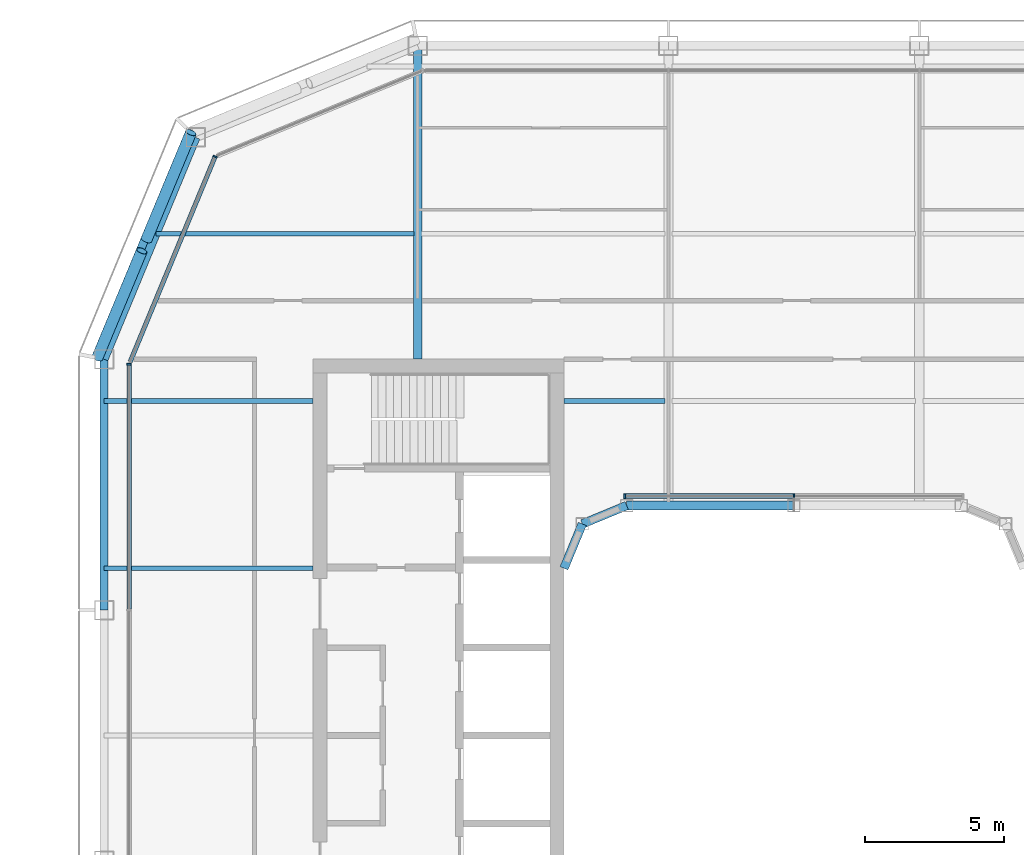
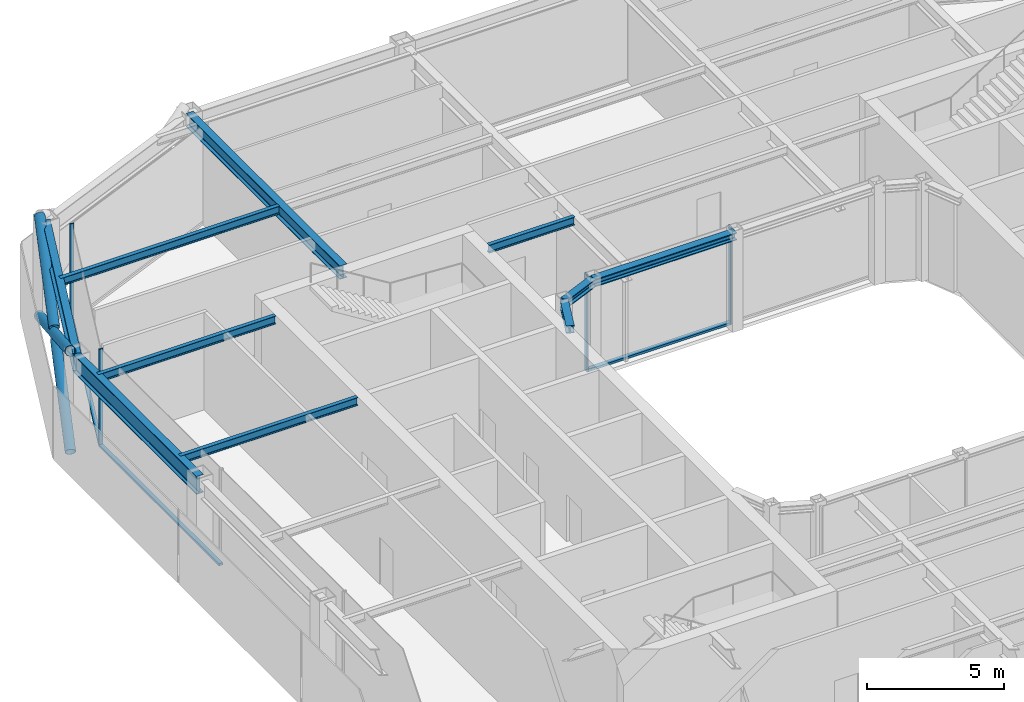
# One storey, part 7 of 21: 10 beams, 10 members, 3 elements without a shape of their own.
"""IFC4 building model written with IfcOpenShell, lengths in metres."""

from ifc_helpers import new_model, si_unit, direction, frame, origin, origin_2d, place, context, subcontext, project, spatial, rectangle, hollow_circle, i_section, extrude, material, layer, layer_set, material_profile, profile_set, type_object, element, aggregate, save


model = new_model("IFC4")

# Units and contexts
model_context = context("Model", 3, precision=1e-05, world=origin(), true_north=direction((0.0, 1.0)))
body_context = subcontext(model_context, "Body", "Model", "MODEL_VIEW")
ifc_project = project(units=[si_unit("LENGTHUNIT", "METRE"), si_unit("AREAUNIT", "SQUARE_METRE"), si_unit("VOLUMEUNIT", "CUBIC_METRE"), si_unit("PLANEANGLEUNIT", "RADIAN"), si_unit("MASSUNIT", "GRAM", prefix="KILO")], contexts=[model_context])

# Site, building, storey
site_placement = place(None, origin())
site = spatial("IfcSite", under=ifc_project, at=site_placement, CompositionType="ELEMENT")
building_placement = place(site_placement, origin())
building = spatial("IfcBuilding", under=site, at=building_placement, Name="Siwar Civic Tower", CompositionType="ELEMENT")
storey_placement = place(building_placement, frame((0.0, 0.0, 334.699951171875)))
storey = spatial("IfcBuildingStorey", under=building, at=storey_placement, Name="L72", CompositionType="ELEMENT", Elevation=334.699951171875)

# Curtain wall, member
ifc_material_1 = material(Name="Aluminium clad insulated panel", Category="aluminium")
ifc_layer_1 = layer(ifc_material_1, 0.159912109375)
ifc_layer_set_1 = layer_set([ifc_layer_1], Name="Aluminium clad insulated panel")
curtain_wall_type_1 = type_object("IfcCurtainWallType", Name="ENV-CW-DX", PredefinedType="NOTDEFINED", material=ifc_layer_set_1)
curtain_wall_1_placement = place(storey_placement, origin())
curtain_wall_1 = element("IfcCurtainWall", 1, at=curtain_wall_1_placement, inside=storey, type_object=curtain_wall_type_1, Name="Curtain wall D NW2", PredefinedType="NOTDEFINED")
ifc_material_2 = material(Name="Aluminium 6063-T6", Category="aluminium")
ifc_material_profile_1 = material_profile(ifc_material_2, rectangle(XDim=0.159912109375, YDim=0.06005859375, at=origin_2d()), Name="AL 160x60")
ifc_profile_set_1 = profile_set([ifc_material_profile_1], Name="Aluminium 6063-T6")
member_type_1 = type_object("IfcMemberType", Name="ENV-MULLION-D", PredefinedType="MULLION", material=ifc_profile_set_1)
member_1_placement = place(storey_placement, frame((-20.76611328125, 20.76611328125, 0.0), z_axis=(0.0, 0.0, 1.0), x_axis=(0.923879532511, -0.382683432365, 0.0)))
member_1 = element("IfcMember", 2, at=member_1_placement, type_object=member_type_1, Name="Mullion D NW2 1", PredefinedType="MULLION", context=body_context, shape_type="SweptSolid", body=[
    extrude(rectangle(XDim=0.159912109375, YDim=0.06005859375, at=origin_2d()), origin(), (0.0, 0.0, 1.0), 4.35009765625),
])

ifc_material_3 = material(Name="Aluminium and glass", Category="aluminium")
ifc_layer_2 = layer(ifc_material_3, 0.159912109375)
ifc_layer_set_2 = layer_set([ifc_layer_2], Name="Aluminium and glass")
curtain_wall_type_2 = type_object("IfcCurtainWallType", Name="ENV-CW-D", PredefinedType="NOTDEFINED", material=ifc_layer_set_2)
curtain_wall_2_placement = place(storey_placement, origin())
curtain_wall_2 = element("IfcCurtainWall", 3, at=curtain_wall_2_placement, inside=storey, type_object=curtain_wall_type_2, Name="Curtain wall D W", PredefinedType="NOTDEFINED")
member_2_placement = place(storey_placement, frame((-23.85009765625, 13.321044921875, 0.0), z_axis=(0.0, 0.0, 1.0), x_axis=(1.0, 0.0, 0.0)))
member_2 = element("IfcMember", 4, at=member_2_placement, type_object=member_type_1, Name="Mullion D W 1", PredefinedType="MULLION", context=body_context, shape_type="SweptSolid", body=[
    extrude(rectangle(XDim=0.159912109375, YDim=0.06005859375, at=origin_2d()), origin(), (0.0, 0.0, 1.0), 4.35009765625),
])

# Curtain wall, members
ifc_material_4 = material(Name="Aluminium and glass", Category="aluminium")
ifc_layer_3 = layer(ifc_material_4, 0.179931640625)
ifc_layer_set_3 = layer_set([ifc_layer_3], Name="Aluminium and glass")
curtain_wall_type_3 = type_object("IfcCurtainWallType", Name="ENV-CW-W", PredefinedType="NOTDEFINED", material=ifc_layer_set_3)
curtain_wall_3_placement = place(storey_placement, origin())
curtain_wall_3 = element("IfcCurtainWall", 5, at=curtain_wall_3_placement, inside=storey, type_object=curtain_wall_type_3, Name="Curtain wall W WN", PredefinedType="NOTDEFINED")
ifc_material_5 = material(Name="Aluminium 6063-T6", Category="aluminium")
ifc_material_profile_2 = material_profile(ifc_material_5, rectangle(XDim=0.179931640625, YDim=0.06005859375, at=origin_2d()), Name="AL 180x60")
ifc_profile_set_2 = profile_set([ifc_material_profile_2], Name="Aluminium 6063-T6")
member_type_2 = type_object("IfcMemberType", Name="ENV-MULLION-W", PredefinedType="MULLION", material=ifc_profile_set_2)
member_3_placement = place(storey_placement, frame((0.0, 8.5849609375, 0.0), z_axis=(0.0, 0.0, 1.0), x_axis=(0.0, -1.0, 0.0)))
member_3 = element("IfcMember", 6, at=member_3_placement, type_object=member_type_2, Name="Mullion W WN 2", PredefinedType="MULLION", context=body_context, shape_type="SweptSolid", body=[
    extrude(rectangle(XDim=0.179931640625, YDim=0.06005859375, at=origin_2d()), origin(), (0.0, 0.0, 1.0), 4.35009765625),
])
member_4_placement = place(storey_placement, frame((-6.066650390625, 8.5849609375, 0.0), z_axis=(0.0, 0.0, 1.0), x_axis=(0.0, -1.0, 0.0)))
member_4 = element("IfcMember", 7, at=member_4_placement, type_object=member_type_2, Name="Mullion W WN 3", PredefinedType="MULLION", context=body_context, shape_type="SweptSolid", body=[
    extrude(rectangle(XDim=0.179931640625, YDim=0.06005859375, at=origin_2d()), origin(), (0.0, 0.0, 1.0), 4.35009765625),
])

# Member
ifc_material_6 = material(Name="Aluminium 6063-T6", Category="aluminium")
ifc_material_profile_3 = material_profile(ifc_material_6, rectangle(XDim=0.159912109375, YDim=0.10009765625, at=origin_2d()), Name="AL 160x100")
ifc_profile_set_3 = profile_set([ifc_material_profile_3], Name="Aluminium 6063-T6")
member_type_3 = type_object("IfcMemberType", Name="ENV-TRANSOM-D", PredefinedType="USERDEFINED", material=ifc_profile_set_3)
member_5_placement = place(storey_placement, frame((-20.777587890625, 20.738525390625, 0.050048828125), z_axis=(-0.382673515031, -0.923883640343, 0.0), x_axis=(0.923883640343, -0.382673515031, 0.0)))
member_5 = element("IfcMember", 8, at=member_5_placement, type_object=member_type_3, Name="Transom D NW2 1", ObjectType="TRANSOM", PredefinedType="USERDEFINED", context=body_context, shape_type="SweptSolid", body=[
    extrude(rectangle(XDim=0.159912109375, YDim=0.10009765625, at=origin_2d()), origin(), (0.0, 0.0, 1.0), 7.930908203125),
])

aggregate(curtain_wall_1, [member_1, member_5])

member_6_placement = place(storey_placement, frame((-23.85009765625, 13.291015625, 0.050048828125), z_axis=(0.0, -1.0, 0.0), x_axis=(1.0, 0.0, 0.0)))
member_6 = element("IfcMember", 9, at=member_6_placement, type_object=member_type_3, Name="Transom D W 1", ObjectType="TRANSOM", PredefinedType="USERDEFINED", context=body_context, shape_type="SweptSolid", body=[
    extrude(rectangle(XDim=0.159912109375, YDim=0.10009765625, at=origin_2d()), origin(), (0.0, 0.0, 1.0), 8.760986328125),
])

aggregate(curtain_wall_2, [member_2, member_6])

ifc_material_7 = material(Name="Aluminium 6063-T6", Category="aluminium")
ifc_material_profile_4 = material_profile(ifc_material_7, rectangle(XDim=0.179931640625, YDim=0.10009765625, at=origin_2d()), Name="AL 180x100")
ifc_profile_set_4 = profile_set([ifc_material_profile_4], Name="Aluminium 6063-T6")
member_type_4 = type_object("IfcMemberType", Name="ENV-TRANSOM-W", PredefinedType="USERDEFINED", material=ifc_profile_set_4)
member_7_placement = place(storey_placement, frame((-0.030029296875, 8.5849609375, 0.050048828125), z_axis=(-1.0, 0.0, 0.0), x_axis=(0.0, -1.0, 0.0)))
member_7 = element("IfcMember", 10, at=member_7_placement, type_object=member_type_4, Name="Transom W WN 2", ObjectType="TRANSOM", PredefinedType="USERDEFINED", context=body_context, shape_type="SweptSolid", body=[
    extrude(rectangle(XDim=0.179931640625, YDim=0.10009765625, at=origin_2d()), origin(), (0.0, 0.0, 1.0), 6.006591796875),
])

aggregate(curtain_wall_3, [member_3, member_4, member_7])

# Members
ifc_material_8 = material(Name="Steel S355", Category="steel")
ifc_material_profile_5 = material_profile(ifc_material_8, hollow_circle(Radius=0.203125, WallThickness=0.01611328125, at=origin_2d()), Name="CHS406.4x16")
ifc_profile_set_5 = profile_set([ifc_material_profile_5], Name="Steel S355")
member_type_5 = type_object("IfcMemberType", Name="STR-BR-CHS406.4x16", PredefinedType="BRACE", material=ifc_profile_set_5)
member_8_placement = place(storey_placement, frame((-21.6318359375, 21.6318359375, 0.0), z_axis=(-0.341671493852, -0.821142553604, 0.457149315816), x_axis=(0.923264922524, -0.384163874976, 0.0)))
element("IfcMember", 11, at=member_8_placement, inside=storey, type_object=member_type_5, Name="L72/brc/DNW1-11-0-1", PredefinedType="BRACE", context=body_context, shape_type="SweptSolid", body=[
    extrude(hollow_circle(Radius=0.203125, WallThickness=0.01611328125, at=origin_2d()), origin(), (0.0, 0.0, 1.0), 9.843505859375),
])
for number, where, z_axis, x_axis, name in (
    (12, (-24.9951171875, 13.548828125, 0.0), (0.341659024948, 0.821130093572, 0.45718101459), (-0.923267827529, 0.384156893273, 0.0), "L72/brc/DNW1-11-0-2"),
    (13, (-23.229736328125, 17.791259765625, 2.362060546875), (0.341652533125, 0.821166691915, 0.457120127208), (-0.923276488787, 0.38413607648, 0.0), "L72/brc/DNW1-11-0-3"),
):
    element("IfcMember", number, at=place(storey_placement, frame(where, z_axis=z_axis, x_axis=x_axis)), inside=storey, type_object=member_type_5, Name=name, PredefinedType="BRACE", context=body_context, shape_type="SweptSolid", body=[
        extrude(hollow_circle(Radius=0.203125, WallThickness=0.01611328125, at=origin_2d()), origin(), (0.0, 0.0, 1.0), 4.677001953125),
    ])

# Beams
ifc_material_9 = material(Name="Steel S355", Category="steel")
ifc_material_profile_6 = material_profile(ifc_material_9, i_section(OverallWidth=0.169921875, OverallDepth=0.360107421875, WebThickness=0.008056640625, FlangeThickness=0.0126953125, FilletRadius=0.01806640625, at=origin_2d()), Name="IPE360")
ifc_profile_set_6 = profile_set([ifc_material_profile_6], Name="Steel S355")
beam_type_1 = type_object("IfcBeamType", Name="STR-FB-IPE360", PredefinedType="JOIST", material=ifc_profile_set_6)
for number, where, z_axis, x_axis, name in (
    (14, (-24.75, 6.0, 4.170166015625), (1.0, 0.0, 0.0), (0.0, 1.0, 0.0), "L72/bm/F020"),
    (15, (-24.75, 12.0, 4.170166015625), (1.0, 0.0, 0.0), (0.0, 1.0, 0.0), "L72/bm/F022"),
):
    element("IfcBeam", number, at=place(storey_placement, frame(where, z_axis=z_axis, x_axis=x_axis)), inside=storey, type_object=beam_type_1, Name=name, PredefinedType="JOIST", context=body_context, shape_type="SweptSolid", body=[
        extrude(i_section(OverallWidth=0.169921875, OverallDepth=0.360107421875, WebThickness=0.008056640625, FlangeThickness=0.0126953125, FilletRadius=0.01806640625, at=origin_2d()), origin(), (0.0, 0.0, 1.0), 7.5),
    ])
beam_1_placement = place(storey_placement, frame((-8.25, 12.0, 4.170166015625), z_axis=(1.0, 0.0, 0.0), x_axis=(0.0, 1.0, 0.0)))
element("IfcBeam", 16, at=beam_1_placement, inside=storey, type_object=beam_type_1, Name="L72/bm/F023", PredefinedType="JOIST", context=body_context, shape_type="SweptSolid", body=[
    extrude(i_section(OverallWidth=0.169921875, OverallDepth=0.360107421875, WebThickness=0.008056640625, FlangeThickness=0.0126953125, FilletRadius=0.01806640625, at=origin_2d()), origin(), (0.0, 0.0, 1.0), 3.6201171875),
])
beam_2_placement = place(storey_placement, frame((-22.885986328125, 18.0, 4.170166015625), z_axis=(1.0, 0.0, 0.0), x_axis=(0.0, 1.0, 0.0)))
element("IfcBeam", 17, at=beam_2_placement, inside=storey, type_object=beam_type_1, Name="L72/bm/F027", PredefinedType="JOIST", context=body_context, shape_type="SweptSolid", body=[
    extrude(i_section(OverallWidth=0.169921875, OverallDepth=0.360107421875, WebThickness=0.008056640625, FlangeThickness=0.0126953125, FilletRadius=0.01806640625, at=origin_2d()), origin(), (0.0, 0.0, 1.0), 9.256103515625),
])
ifc_material_10 = material(Name="Steel S355", Category="steel")
ifc_material_profile_7 = material_profile(ifc_material_10, i_section(OverallWidth=0.300048828125, OverallDepth=0.60009765625, WebThickness=0.015380859375, FlangeThickness=0.030029296875, FilletRadius=0.027099609375, at=origin_2d()), Name="HEB600")
ifc_profile_set_7 = profile_set([ifc_material_profile_7], Name="Steel S355")
beam_type_2 = type_object("IfcBeamType", Name="STR-PG-HEB600", PredefinedType="BEAM", material=ifc_profile_set_7)
beam_3_placement = place(storey_placement, frame((-13.5, 13.5, 4.050048828125), z_axis=(0.0, 1.0, 0.0), x_axis=(-1.0, 0.0, 0.0)))
element("IfcBeam", 18, at=beam_3_placement, inside=storey, type_object=beam_type_2, Name="L72/bm/G02", PredefinedType="BEAM", context=body_context, shape_type="SweptSolid", body=[
    extrude(i_section(OverallWidth=0.300048828125, OverallDepth=0.60009765625, WebThickness=0.015380859375, FlangeThickness=0.030029296875, FilletRadius=0.027099609375, at=origin_2d()), origin(), (0.0, 0.0, 1.0), 11.25),
])
ifc_material_11 = material(Name="Steel S355", Category="steel")
ifc_material_profile_8 = material_profile(ifc_material_11, i_section(OverallWidth=0.31005859375, OverallDepth=0.340087890625, WebThickness=0.02099609375, FlangeThickness=0.0390625, FilletRadius=0.027099609375, at=origin_2d()), Name="HEM300")
ifc_profile_set_8 = profile_set([ifc_material_profile_8], Name="Steel S355")
beam_type_3 = type_object("IfcBeamType", Name="STR-RB-HEM300", PredefinedType="BEAM", material=ifc_profile_set_8)
beam_4_placement = place(storey_placement, frame((-7.591064453125, 7.591064453125, 4.179931640625), z_axis=(0.923901072997, 0.382631424892, 0.0), x_axis=(-0.382631424892, 0.923901072997, 0.0)))
element("IfcBeam", 19, at=beam_4_placement, inside=storey, type_object=beam_type_3, Name="L72/bm/RN0", PredefinedType="BEAM", context=body_context, shape_type="SweptSolid", body=[
    extrude(i_section(OverallWidth=0.31005859375, OverallDepth=0.340087890625, WebThickness=0.02099609375, FlangeThickness=0.0390625, FilletRadius=0.027099609375, at=origin_2d()), origin(), (0.0, 0.0, 1.0), 1.72216796875),
])
beam_5_placement = place(storey_placement, frame((-6.0, 8.25, 4.179931640625), z_axis=(1.0, 0.0, 0.0), x_axis=(0.0, 1.0, 0.0)))
element("IfcBeam", 20, at=beam_5_placement, inside=storey, type_object=beam_type_3, Name="L72/bm/RN1", PredefinedType="BEAM", context=body_context, shape_type="SweptSolid", body=[
    extrude(i_section(OverallWidth=0.31005859375, OverallDepth=0.340087890625, WebThickness=0.02099609375, FlangeThickness=0.0390625, FilletRadius=0.027099609375, at=origin_2d()), origin(), (0.0, 0.0, 1.0), 6.0),
])
beam_6_placement = place(storey_placement, frame((-7.591064453125, 7.591064453125, 4.179931640625), z_axis=(-0.382631424892, -0.923901072997, 0.0), x_axis=(0.923901072997, -0.382631424892, 0.0)))
element("IfcBeam", 21, at=beam_6_placement, inside=storey, type_object=beam_type_3, Name="L72/bm/RNEW", PredefinedType="BEAM", context=body_context, shape_type="SweptSolid", body=[
    extrude(i_section(OverallWidth=0.31005859375, OverallDepth=0.340087890625, WebThickness=0.02099609375, FlangeThickness=0.0390625, FilletRadius=0.027099609375, at=origin_2d()), origin(), (0.0, 0.0, 1.0), 1.72216796875),
])
ifc_material_12 = material(Name="Steel S355", Category="steel")
ifc_material_profile_9 = material_profile(ifc_material_12, i_section(OverallWidth=0.300048828125, OverallDepth=0.800048828125, WebThickness=0.017578125, FlangeThickness=0.032958984375, FilletRadius=0.030029296875, at=origin_2d()), Name="HEB800")
ifc_profile_set_9 = profile_set([ifc_material_profile_9], Name="Steel S355")
beam_type_4 = type_object("IfcBeamType", Name="STR-SB-HEB800", PredefinedType="BEAM", material=ifc_profile_set_9)
beam_7_placement = place(storey_placement, frame((-21.454833984375, 21.454833984375, 3.949951171875), z_axis=(-0.382699877515, -0.923872720536, 0.0), x_axis=(0.923872720536, -0.382699877515, 0.0)))
element("IfcBeam", 22, at=beam_7_placement, inside=storey, type_object=beam_type_4, Name="L72/bm/SNW2-0", PredefinedType="BEAM", context=body_context, shape_type="SweptSolid", body=[
    extrude(i_section(OverallWidth=0.300048828125, OverallDepth=0.800048828125, WebThickness=0.017578125, FlangeThickness=0.032958984375, FilletRadius=0.030029296875, at=origin_2d()), origin(), (0.0, 0.0, 1.0), 8.6103515625),
])
beam_8_placement = place(storey_placement, frame((-24.75, 13.5, 3.949951171875), z_axis=(0.0, -1.0, 0.0), x_axis=(1.0, 0.0, 0.0)))
element("IfcBeam", 23, at=beam_8_placement, inside=storey, type_object=beam_type_4, Name="L72/bm/SW-0", PredefinedType="BEAM", context=body_context, shape_type="SweptSolid", body=[
    extrude(i_section(OverallWidth=0.300048828125, OverallDepth=0.800048828125, WebThickness=0.017578125, FlangeThickness=0.032958984375, FilletRadius=0.030029296875, at=origin_2d()), origin(), (0.0, 0.0, 1.0), 9.0),
])

save(model, "model.ifc")
